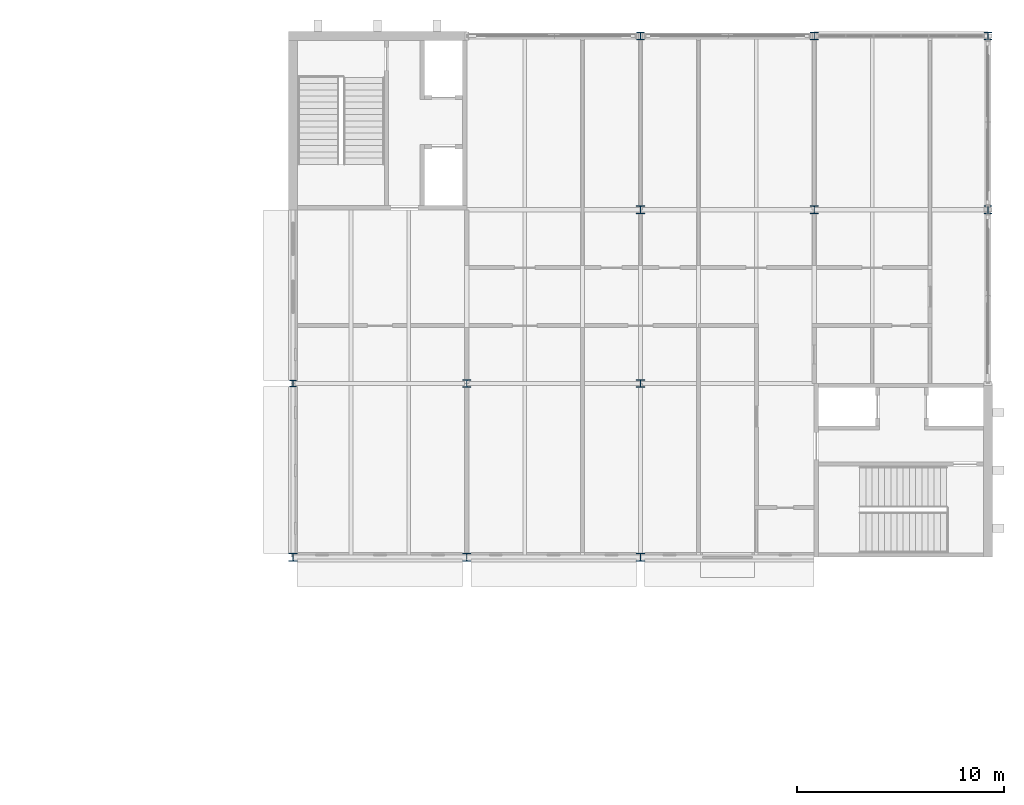
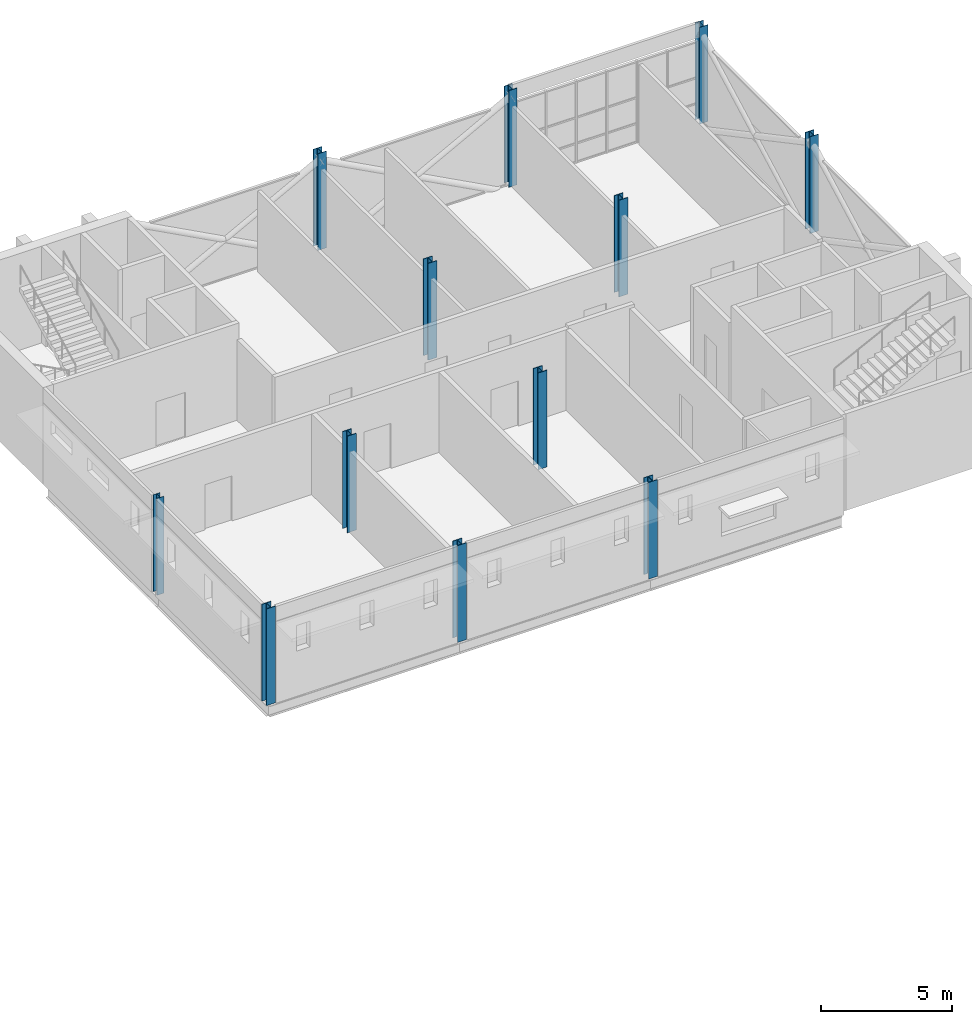
# One storey, part 2 of 22: 12 columns.
"""IFC4 building model written with IfcOpenShell, lengths in metres."""

from ifc_helpers import new_model, si_unit, direction, frame, origin, origin_2d, place, context, subcontext, project, spatial, i_section, extrude, material, material_profile, profile_set, type_object, element, save


model = new_model("IFC4")

# Units and contexts
model_context = context("Model", 3, precision=1e-05, world=origin(), true_north=direction((0.0, 1.0)))
body_context = subcontext(model_context, "Body", "Model", "MODEL_VIEW")
ifc_project = project(units=[si_unit("LENGTHUNIT", "METRE"), si_unit("AREAUNIT", "SQUARE_METRE"), si_unit("VOLUMEUNIT", "CUBIC_METRE"), si_unit("PLANEANGLEUNIT", "RADIAN"), si_unit("MASSUNIT", "GRAM", prefix="KILO")], contexts=[model_context])

# Site, building, storey
site_placement = place(None, origin())
site = spatial("IfcSite", under=ifc_project, at=site_placement, CompositionType="ELEMENT")
building_placement = place(site_placement, origin())
building = spatial("IfcBuilding", under=site, at=building_placement, Name="Ardhachandra Cancer Care Centre", CompositionType="ELEMENT")
storey_placement = place(building_placement, frame((0.0, 0.0, 18.0)))
storey = spatial("IfcBuildingStorey", under=building, at=storey_placement, Name="L04", CompositionType="ELEMENT", Elevation=18.0)

# Columns
ifc_material_1 = material(Name="Steel E350 (IS 2062)", Category="steel")
ifc_material_profile_1 = material_profile(ifc_material_1, i_section(OverallWidth=0.300048828125, OverallDepth=0.300048828125, WebThickness=0.010986328125, FlangeThickness=0.01904296875, FilletRadius=0.027099609375, at=origin_2d()), Name="WPB 300x300x117.03")
ifc_profile_set_1 = profile_set([ifc_material_profile_1], Name="Steel E350 (IS 2062)")
column_type_1 = type_object("IfcColumnType", Name="Column WPB 300x300x117.03", PredefinedType="COLUMN", material=ifc_profile_set_1)
column_placement = place(storey_placement, frame((111.60009765625, 88.199951171875, 0.0), z_axis=(0.0, 0.0, 1.0), x_axis=(1.0, 0.0, 0.0)))
element("IfcColumn", 1, at=column_placement, inside=storey, type_object=column_type_1, Name="Column K13 L04", PredefinedType="COLUMN", context=body_context, shape_type="SweptSolid", body=[
    extrude(i_section(OverallWidth=0.300048828125, OverallDepth=0.300048828125, WebThickness=0.010986328125, FlangeThickness=0.01904296875, FilletRadius=0.027099609375, at=origin_2d()), origin(), (0.0, 0.0, 1.0), 4.5),
])
ifc_material_2 = material(Name="Steel E350 (IS 2062)", Category="steel")
ifc_material_profile_2 = material_profile(ifc_material_2, i_section(OverallWidth=0.37109375, OverallDepth=0.364013671875, WebThickness=0.01318359375, FlangeThickness=0.021728515625, FilletRadius=0.027099609375, at=origin_2d()), Name="WPB 360x370x165.34")
ifc_profile_set_2 = profile_set([ifc_material_profile_2], Name="Steel E350 (IS 2062)")
column_type_2 = type_object("IfcColumnType", Name="Column WPB 360x370x165.34", PredefinedType="COLUMN", material=ifc_profile_set_2)
for number, where, z_axis, x_axis, name in (
    (2, (145.199951171875, 96.60009765625, 0.0), (0.0, 0.0, 1.0), (1.0, 0.0, 0.0), "Column L17 L04"),
    (3, (128.39990234375, 105.0, 0.0), (0.0, 0.0, 1.0), (1.0, 0.0, 0.0), "Column M15 L04"),
    (4, (136.800048828125, 105.0, 0.0), (0.0, 0.0, 1.0), (1.0, 0.0, 0.0), "Column M16 L04"),
    (5, (145.199951171875, 105.0, 0.0), (0.0, 0.0, 1.0), (1.0, 0.0, 0.0), "Column M17 L04"),
):
    element("IfcColumn", number, at=place(storey_placement, frame(where, z_axis=z_axis, x_axis=x_axis)), inside=storey, type_object=column_type_2, Name=name, PredefinedType="COLUMN", context=body_context, shape_type="SweptSolid", body=[
        extrude(i_section(OverallWidth=0.37109375, OverallDepth=0.364013671875, WebThickness=0.01318359375, FlangeThickness=0.021728515625, FilletRadius=0.027099609375, at=origin_2d()), origin(), (0.0, 0.0, 1.0), 4.5),
    ])
ifc_material_3 = material(Name="Steel E350 (IS 2062)", Category="steel")
ifc_material_profile_3 = material_profile(ifc_material_3, i_section(OverallWidth=0.39501953125, OverallDepth=0.3798828125, WebThickness=0.018798828125, FlangeThickness=0.0302734375, FilletRadius=0.027099609375, at=origin_2d()), Name="WPB 400x400x239.62")
ifc_profile_set_3 = profile_set([ifc_material_profile_3], Name="Steel E350 (IS 2062)")
column_type_3 = type_object("IfcColumnType", Name="Column WPB 400x400x239.62", PredefinedType="COLUMN", material=ifc_profile_set_3)
for number, where, z_axis, x_axis, name in (
    (6, (111.60009765625, 79.800048828125, 0.0), (0.0, 0.0, 1.0), (1.0, 0.0, 0.0), "Column J13 L04"),
    (7, (120.0, 79.800048828125, 0.0), (0.0, 0.0, 1.0), (1.0, 0.0, 0.0), "Column J14 L04"),
    (8, (128.39990234375, 79.800048828125, 0.0), (0.0, 0.0, 1.0), (1.0, 0.0, 0.0), "Column J15 L04"),
    (9, (120.0, 88.199951171875, 0.0), (0.0, 0.0, 1.0), (1.0, 0.0, 0.0), "Column K14 L04"),
    (10, (128.39990234375, 88.199951171875, 0.0), (0.0, 0.0, 1.0), (1.0, 0.0, 0.0), "Column K15 L04"),
    (11, (128.39990234375, 96.60009765625, 0.0), (0.0, 0.0, 1.0), (1.0, 0.0, 0.0), "Column L15 L04"),
    (12, (136.800048828125, 96.60009765625, 0.0), (0.0, 0.0, 1.0), (1.0, 0.0, 0.0), "Column L16 L04"),
):
    element("IfcColumn", number, at=place(storey_placement, frame(where, z_axis=z_axis, x_axis=x_axis)), inside=storey, type_object=column_type_3, Name=name, PredefinedType="COLUMN", context=body_context, shape_type="SweptSolid", body=[
        extrude(i_section(OverallWidth=0.39501953125, OverallDepth=0.3798828125, WebThickness=0.018798828125, FlangeThickness=0.0302734375, FilletRadius=0.027099609375, at=origin_2d()), origin(), (0.0, 0.0, 1.0), 4.5),
    ])

save(model, "model.ifc")
